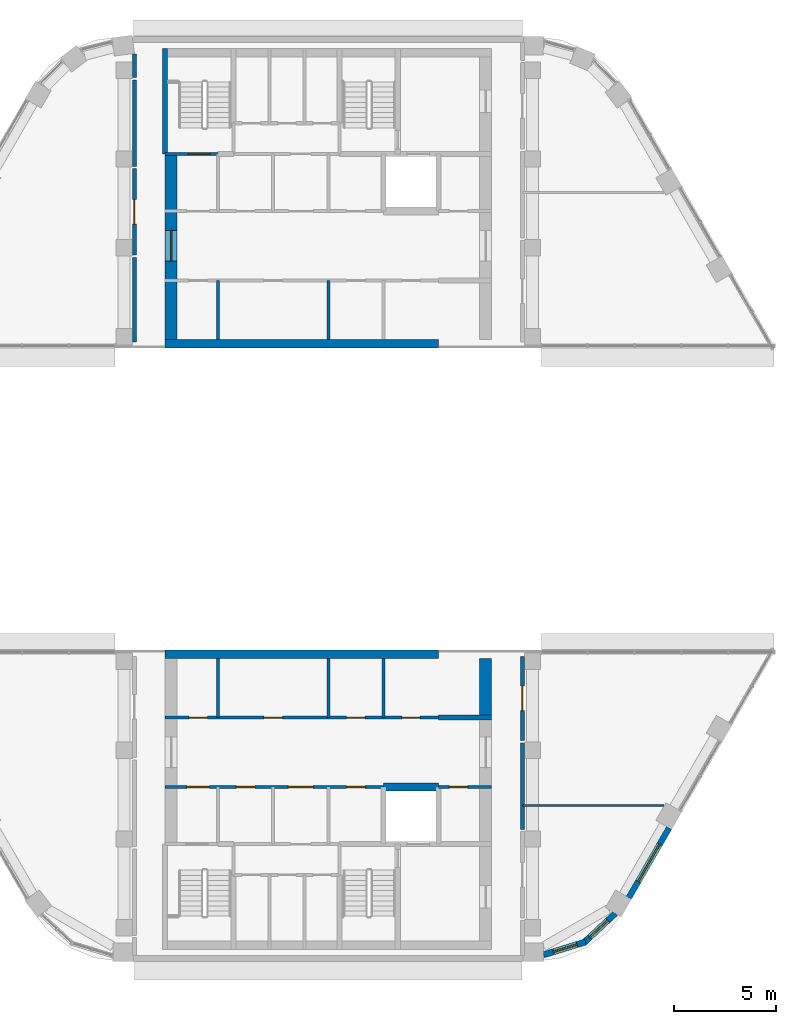
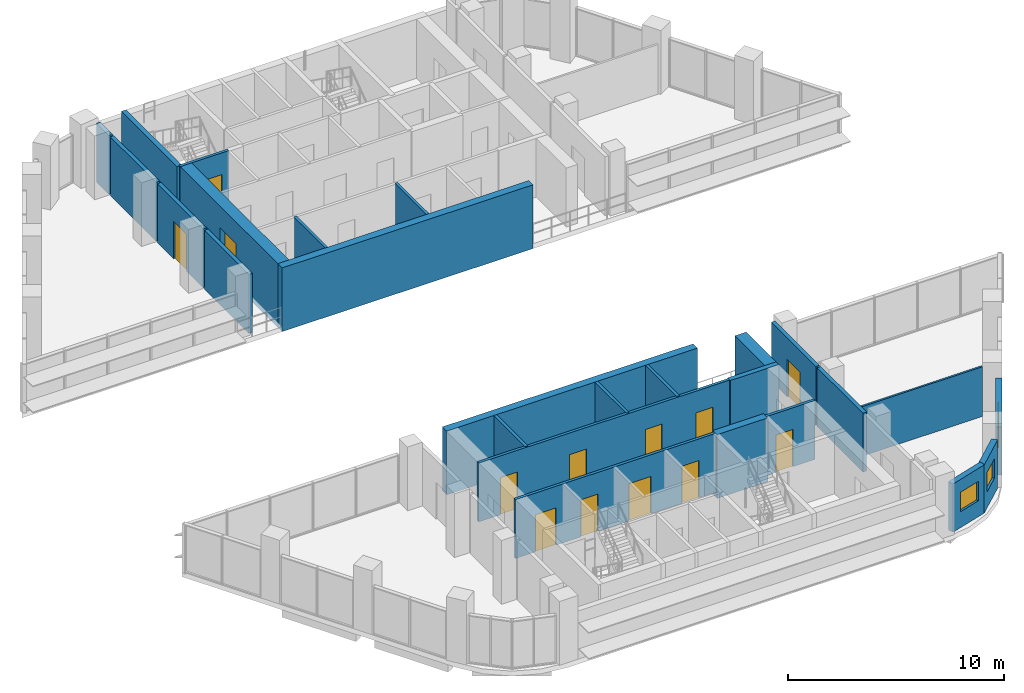
# One storey, part 9 of 14: 26 walls, 13 doors, 3 windows, 16 openings.
"""IFC4 building model written with IfcOpenShell, lengths in metres."""

from ifc_helpers import new_model, si_unit, direction, frame, frame_2d, origin, place, context, subcontext, project, spatial, rectangle, extrude, material, layer, layer_set, type_object, element, fill, save


model = new_model("IFC4")

# Units and contexts
model_context = context("Model", 3, precision=1e-05, world=origin(), true_north=direction((0.0, 1.0)))
body_context = subcontext(model_context, "Body", "Model", "MODEL_VIEW")
ifc_project = project(units=[si_unit("LENGTHUNIT", "METRE"), si_unit("AREAUNIT", "SQUARE_METRE"), si_unit("VOLUMEUNIT", "CUBIC_METRE"), si_unit("PLANEANGLEUNIT", "RADIAN"), si_unit("MASSUNIT", "GRAM", prefix="KILO")], contexts=[model_context])

# Site, building, storey
site_placement = place(None, origin())
site = spatial("IfcSite", under=ifc_project, at=site_placement, CompositionType="ELEMENT")
building_placement = place(site_placement, origin())
building = spatial("IfcBuilding", under=site, at=building_placement, Name="Nakaniwa Court", CompositionType="ELEMENT")
storey_placement = place(building_placement, frame((0.0, 0.0, 279.60009765625)))
storey = spatial("IfcBuildingStorey", under=building, at=storey_placement, Name="C03", CompositionType="ELEMENT", Elevation=279.60009765625)

# Wall
ifc_material_1 = material(Name="Acoustic double stud partition")
ifc_layer_1 = layer(ifc_material_1, 0.199951171875)
ifc_layer_set_1 = layer_set([ifc_layer_1], Name="Acoustic double stud partition")
wall_type_1 = type_object("IfcWallType", Name="Acoustic double stud partition 200", PredefinedType="PARTITIONING", material=ifc_layer_set_1)
wall_1_placement = place(storey_placement, frame((89.5, 63.826904296875, 0.0), z_axis=(0.0, 0.0, 1.0), x_axis=(0.0, 1.0, 0.0)))
element("IfcWall", 1, at=wall_1_placement, inside=storey, type_object=wall_type_1, Name="Partition PW-057", PredefinedType="PARTITIONING", context=body_context, shape_type="SweptSolid", body=[
    extrude(rectangle(XDim=4.236083984375, YDim=0.199951171875, at=frame_2d((2.1181640625, 0.0))), origin(), (0.0, 0.0, 1.0), 3.324951171875),
])

# Wall, opening, door
wall_2_placement = place(storey_placement, frame((89.5, 72.300048828125, 0.0), z_axis=(0.0, 0.0, 1.0), x_axis=(0.0, -1.0, 0.0)))
wall_2 = element("IfcWall", 2, at=wall_2_placement, inside=storey, type_object=wall_type_1, Name="Partition PW-058", PredefinedType="PARTITIONING", context=body_context, shape_type="SweptSolid", body=[
    extrude(rectangle(XDim=4.123046875, YDim=0.199951171875, at=frame_2d((2.0615234375, 0.0))), origin(), (0.0, 0.0, 1.0), 3.324951171875),
])
opening_1_placement = place(wall_2_placement, frame((1.4599609375, 0.0, 0.0)))
opening_1 = element("IfcOpeningElement", 3, at=opening_1_placement, cuts=wall_2, Name="Opening D-30-02", PredefinedType="OPENING", context=body_context, shape_type="SweptSolid", body=[
    extrude(rectangle(XDim=1.199951171875, YDim=2.10009765625, at=frame_2d((0.60009765625, 1.050048828125))), frame((0.0, 0.10986328125, 0.0), z_axis=(0.0, -1.0, 0.0), x_axis=(1.0, 0.0, 0.0)), (0.0, 0.0, 1.0), 0.219970703125),
])
ifc_material_2 = material(Name="Solid core timber door set, black veneer", Category="wood")
door_type_1 = type_object("IfcDoorType", Name="Internal door 1200", OperationType="NOTDEFINED", PredefinedType="DOOR", material=ifc_material_2)
door_1_placement = place(opening_1_placement, origin())
door_1 = element("IfcDoor", 4, at=door_1_placement, inside=storey, type_object=door_type_1, Name="Door D-30-02 C03-032", OperationType="SINGLE_SWING_LEFT", OverallHeight=2.10009765625, OverallWidth=1.199951171875, PredefinedType="DOOR", context=body_context, shape_type="SweptSolid", body=[
    extrude(rectangle(XDim=1.199951171875, YDim=2.10009765625, at=frame_2d((0.60009765625, 1.050048828125))), frame((0.0, 0.02490234375, 0.0), z_axis=(0.0, -1.0, 0.0), x_axis=(1.0, 0.0, 0.0)), (0.0, 0.0, 1.0), 0.050048828125),
])
fill(opening_1, door_1)

# Wall
wall_3_placement = place(storey_placement, frame((70.5, 87.699951171875, 0.0), z_axis=(0.0, 0.0, 1.0), x_axis=(0.0, 1.0, 0.0)))
element("IfcWall", 5, at=wall_3_placement, inside=storey, type_object=wall_type_1, Name="Partition PW-069", PredefinedType="PARTITIONING", context=body_context, shape_type="SweptSolid", body=[
    extrude(rectangle(XDim=4.123046875, YDim=0.199951171875, at=frame_2d((2.0615234375, 0.0))), origin(), (0.0, 0.0, 1.0), 3.324951171875),
])

# Wall, opening, door
wall_4_placement = place(storey_placement, frame((70.5, 91.93701171875, 0.0), z_axis=(0.0, 0.0, 1.0), x_axis=(0.0, 1.0, 0.0)))
wall_4 = element("IfcWall", 6, at=wall_4_placement, inside=storey, type_object=wall_type_1, Name="Partition PW-070", PredefinedType="PARTITIONING", context=body_context, shape_type="SweptSolid", body=[
    extrude(rectangle(XDim=4.236083984375, YDim=0.199951171875, at=frame_2d((2.1181640625, 0.0))), origin(), (0.0, 0.0, 1.0), 3.324951171875),
])
opening_2_placement = place(wall_4_placement, frame((1.51806640625, 0.0, 0.0)))
opening_2 = element("IfcOpeningElement", 7, at=opening_2_placement, cuts=wall_4, Name="Opening D-30-06", PredefinedType="OPENING", context=body_context, shape_type="SweptSolid", body=[
    extrude(rectangle(XDim=1.199951171875, YDim=2.10009765625, at=frame_2d((0.60009765625, 1.050048828125))), frame((0.0, 0.10986328125, 0.0), z_axis=(0.0, -1.0, 0.0), x_axis=(1.0, 0.0, 0.0)), (0.0, 0.0, 1.0), 0.219970703125),
])
door_2_placement = place(opening_2_placement, origin())
door_2 = element("IfcDoor", 8, at=door_2_placement, inside=storey, type_object=door_type_1, Name="Door D-30-06 C03-036", OperationType="SINGLE_SWING_LEFT", OverallHeight=2.10009765625, OverallWidth=1.199951171875, PredefinedType="DOOR", context=body_context, shape_type="SweptSolid", body=[
    extrude(rectangle(XDim=1.199951171875, YDim=2.10009765625, at=frame_2d((0.60009765625, 1.050048828125))), frame((0.0, 0.02490234375, 0.0), z_axis=(0.0, -1.0, 0.0), x_axis=(1.0, 0.0, 0.0)), (0.0, 0.0, 1.0), 0.050048828125),
])
fill(opening_2, door_2)

# Walls
wall_5_placement = place(storey_placement, frame((70.5, 96.287109375, 0.0), z_axis=(0.0, 0.0, 1.0), x_axis=(0.0, 1.0, 0.0)))
element("IfcWall", 9, at=wall_5_placement, inside=storey, type_object=wall_type_1, Name="Partition PW-071", PredefinedType="PARTITIONING", context=body_context, shape_type="SweptSolid", body=[
    extrude(rectangle(XDim=4.23583984375, YDim=0.199951171875, at=frame_2d((2.117919921875, 0.0))), origin(), (0.0, 0.0, 1.0), 3.324951171875),
])
wall_6_placement = place(storey_placement, frame((70.5, 100.636962890625, 0.0), z_axis=(0.0, 0.0, 1.0), x_axis=(0.0, 1.0, 0.0)))
element("IfcWall", 10, at=wall_6_placement, inside=storey, type_object=wall_type_1, Name="Partition PW-072", PredefinedType="PARTITIONING", context=body_context, shape_type="SweptSolid", body=[
    extrude(rectangle(XDim=1.163818359375, YDim=0.199951171875, at=frame_2d((0.58203125, 0.0))), origin(), (0.0, 0.0, 1.0), 3.324951171875),
])

# Wall, opening, window
ifc_material_3 = material(Name="Charcoal ceramic cladding")
ifc_layer_2 = layer(ifc_material_3, 0.02, Name="Ceramic cladding")
ifc_material_4 = material(Name="Ventilated air cavity")
ifc_layer_3 = layer(ifc_material_4, 0.04, ventilated=True, Name="Ventilated cavity")
ifc_material_5 = material(Name="Mineral wool insulation")
ifc_layer_4 = layer(ifc_material_5, 0.1, Name="Insulation")
ifc_material_6 = material(Name="Cement bonded sheathing board")
ifc_layer_5 = layer(ifc_material_6, 0.012, Name="Sheathing")
ifc_material_7 = material(Name="Cold-formed galvanised stud frame with mineral wool infill")
ifc_layer_6 = layer(ifc_material_7, 0.1, Name="Stud frame")
ifc_material_8 = material(Name="Fire-rated gypsum plasterboard lining")
ifc_layer_7 = layer(ifc_material_8, 0.028, Name="Lining")
ifc_layer_set_2 = layer_set([ifc_layer_2, ifc_layer_3, ifc_layer_4, ifc_layer_5, ifc_layer_6, ifc_layer_7], Name="Charcoal ceramic faced external wall system")
wall_type_2 = type_object("IfcWallType", Name="Black ceramic faced external wall 300", PredefinedType="SOLIDWALL", material=ifc_layer_set_2)
wall_7_placement = place(storey_placement, frame((94.7109375, 60.47998046875, 0.0), z_axis=(0.0, 0.0, 1.0), x_axis=(0.499986771468, 0.866033041146, 0.0)))
wall_7 = element("IfcWall", 11, at=wall_7_placement, inside=storey, type_object=wall_type_2, Name="C03 external wall 00", PredefinedType="SOLIDWALL", context=body_context, shape_type="SweptSolid", body=[
    extrude(rectangle(XDim=3.9443359375, YDim=0.300048828125, at=frame_2d((1.97216796875, 0.0))), origin(), (0.0, 0.0, 1.0), 2.724853515625),
])
opening_3_placement = place(wall_7_placement, frame((0.922119140625, 0.0, 0.89990234375)))
opening_3 = element("IfcOpeningElement", 12, at=opening_3_placement, cuts=wall_7, Name="Opening W7.01", PredefinedType="OPENING", context=body_context, shape_type="SweptSolid", body=[
    extrude(rectangle(XDim=2.10009765625, YDim=1.10009765625, at=frame_2d((1.050048828125, 0.550048828125))), frame((0.0, 0.159912109375, 0.0), z_axis=(0.0, -1.0, 0.0), x_axis=(1.0, 0.0, 0.0)), (0.0, 0.0, 1.0), 0.320068359375),
])
ifc_material_9 = material(Name="Black anodised aluminium frame with dark low-E laminated double glazing", Category="aluminium")
window_type_1 = type_object("IfcWindowType", Name="Dark glass window 2100x1100 sill 900", PartitioningType="SINGLE_PANEL", PredefinedType="WINDOW", material=ifc_material_9)
window_1_placement = place(opening_3_placement, origin())
window_1 = element("IfcWindow", 13, at=window_1_placement, inside=storey, type_object=window_type_1, Name="C03 habitable room window 00-0", OverallHeight=1.10009765625, OverallWidth=2.10009765625, PartitioningType="SINGLE_PANEL", PredefinedType="WINDOW", context=body_context, shape_type="SweptSolid", body=[
    extrude(rectangle(XDim=2.10009765625, YDim=1.10009765625, at=frame_2d((1.050048828125, 0.550048828125))), frame((0.0, 0.030029296875, 0.0), z_axis=(0.0, -1.0, 0.0), x_axis=(1.0, 0.0, 0.0)), (0.0, 0.0, 1.0), 0.06005859375),
])
fill(opening_3, window_1)

wall_8_placement = place(storey_placement, frame((90.53564453125, 57.68310546875, 0.0), z_axis=(0.0, 0.0, 1.0), x_axis=(0.956094906027, 0.293057213987, 0.0)))
wall_8 = element("IfcWall", 14, at=wall_8_placement, inside=storey, type_object=wall_type_2, Name="C03 external wall 11", PredefinedType="SOLIDWALL", context=body_context, shape_type="SweptSolid", body=[
    extrude(rectangle(XDim=2.15185546875, YDim=0.300048828125, at=frame_2d((1.075927734375, 0.0))), origin(), (0.0, 0.0, 1.0), 2.724853515625),
])
opening_4_placement = place(wall_8_placement, frame((0.514404296875, 0.0, 0.89990234375)))
opening_4 = element("IfcOpeningElement", 15, at=opening_4_placement, cuts=wall_8, Name="Opening W6.02", PredefinedType="OPENING", context=body_context, shape_type="SweptSolid", body=[
    extrude(rectangle(XDim=1.199951171875, YDim=1.10009765625, at=frame_2d((0.60009765625, 0.550048828125))), frame((0.0, 0.159912109375, 0.0), z_axis=(0.0, -1.0, 0.0), x_axis=(1.0, 0.0, 0.0)), (0.0, 0.0, 1.0), 0.320068359375),
])
window_type_2 = type_object("IfcWindowType", Name="Dark glass window 1200x1100 sill 900", PartitioningType="SINGLE_PANEL", PredefinedType="WINDOW", material=ifc_material_9)
window_2_placement = place(opening_4_placement, origin())
window_2 = element("IfcWindow", 16, at=window_2_placement, inside=storey, type_object=window_type_2, Name="C03 habitable room window 11-0", OverallHeight=1.10009765625, OverallWidth=1.199951171875, PartitioningType="SINGLE_PANEL", PredefinedType="WINDOW", context=body_context, shape_type="SweptSolid", body=[
    extrude(rectangle(XDim=1.199951171875, YDim=1.10009765625, at=frame_2d((0.60009765625, 0.550048828125))), frame((0.0, 0.030029296875, 0.0), z_axis=(0.0, -1.0, 0.0), x_axis=(1.0, 0.0, 0.0)), (0.0, 0.0, 1.0), 0.06005859375),
])
fill(opening_4, window_2)

wall_9_placement = place(storey_placement, frame((92.485107421875, 58.25048828125, 0.0), z_axis=(0.0, 0.0, 1.0), x_axis=(0.732075899412, 0.681223074697, 0.0)))
wall_9 = element("IfcWall", 17, at=wall_9_placement, inside=storey, type_object=wall_type_2, Name="C03 external wall 12", PredefinedType="SOLIDWALL", context=body_context, shape_type="SweptSolid", body=[
    extrude(rectangle(XDim=2.14599609375, YDim=0.300048828125, at=frame_2d((1.072998046875, 0.0))), origin(), (0.0, 0.0, 1.0), 2.724853515625),
])
opening_5_placement = place(wall_9_placement, frame((0.4345703125, 0.0, 0.89990234375)))
opening_5 = element("IfcOpeningElement", 18, at=opening_5_placement, cuts=wall_9, Name="Opening W6.03", PredefinedType="OPENING", context=body_context, shape_type="SweptSolid", body=[
    extrude(rectangle(XDim=1.199951171875, YDim=1.10009765625, at=frame_2d((0.60009765625, 0.550048828125))), frame((0.0, 0.159912109375, 0.0), z_axis=(0.0, -1.0, 0.0), x_axis=(1.0, 0.0, 0.0)), (0.0, 0.0, 1.0), 0.320068359375),
])
window_3_placement = place(opening_5_placement, origin())
window_3 = element("IfcWindow", 19, at=window_3_placement, inside=storey, type_object=window_type_2, Name="C03 habitable room window 12-0", OverallHeight=1.10009765625, OverallWidth=1.199951171875, PartitioningType="SINGLE_PANEL", PredefinedType="WINDOW", context=body_context, shape_type="SweptSolid", body=[
    extrude(rectangle(XDim=1.199951171875, YDim=1.10009765625, at=frame_2d((0.60009765625, 0.550048828125))), frame((0.0, 0.030029296875, 0.0), z_axis=(0.0, -1.0, 0.0), x_axis=(1.0, 0.0, 0.0)), (0.0, 0.0, 1.0), 0.06005859375),
])
fill(opening_5, window_3)

# Walls
ifc_material_10 = material(Name="Blockwork partition", Category="masonry")
ifc_layer_8 = layer(ifc_material_10, 0.14990234375)
ifc_layer_set_3 = layer_set([ifc_layer_8], Name="Blockwork partition")
wall_type_3 = type_object("IfcWallType", Name="Blockwork partition 150", PredefinedType="PARTITIONING", material=ifc_layer_set_3)
for number, where, z_axis, x_axis, name in (
    (20, (74.60009765625, 87.800048828125, 0.0), (0.0, 0.0, 1.0), (0.0, 1.0, 0.0), "Partition PW-001"),
    (21, (80.0, 87.800048828125, 0.0), (0.0, 0.0, 1.0), (0.0, 1.0, 0.0), "Partition PW-005"),
    (22, (74.60009765625, 69.300048828125, 0.0), (0.0, 0.0, 1.0), (0.0, 1.0, 0.0), "Partition PW-029"),
):
    element("IfcWall", number, at=place(storey_placement, frame(where, z_axis=z_axis, x_axis=x_axis)), inside=storey, type_object=wall_type_3, Name=name, PredefinedType="PARTITIONING", context=body_context, shape_type="SweptSolid", body=[
        extrude(rectangle(XDim=2.89990234375, YDim=0.14990234375, at=frame_2d((1.449951171875, 0.0))), origin(), (0.0, 0.0, 1.0), 3.324951171875),
    ])

# Wall, openings, doors
wall_10_placement = place(storey_placement, frame((72.0, 69.300048828125, 0.0), z_axis=(0.0, 0.0, 1.0), x_axis=(1.0, 0.0, 0.0)))
wall_10 = element("IfcWall", 23, at=wall_10_placement, inside=storey, type_object=wall_type_3, Name="Partition PW-030", PredefinedType="PARTITIONING", context=body_context, shape_type="SweptSolid", body=[
    extrude(rectangle(XDim=13.39990234375, YDim=0.14990234375, at=frame_2d((6.699951171875, 0.0))), origin(), (0.0, 0.0, 1.0), 3.324951171875),
])
opening_6_placement = place(wall_10_placement, frame((1.175048828125, 0.0, 0.0)))
opening_6 = element("IfcOpeningElement", 24, at=opening_6_placement, cuts=wall_10, Name="Opening D-05-11", PredefinedType="OPENING", context=body_context, shape_type="SweptSolid", body=[
    extrude(rectangle(XDim=0.89990234375, YDim=2.10009765625, at=frame_2d((0.449951171875, 1.050048828125))), frame((0.0, 0.0849609375, 0.0), z_axis=(0.0, -1.0, 0.0), x_axis=(1.0, 0.0, 0.0)), (0.0, 0.0, 1.0), 0.169921875),
])
opening_7_placement = place(wall_10_placement, frame((4.85009765625, 0.0, 0.0)))
opening_7 = element("IfcOpeningElement", 25, at=opening_7_placement, cuts=wall_10, Name="Opening D-05-12", PredefinedType="OPENING", context=body_context, shape_type="SweptSolid", body=[
    extrude(rectangle(XDim=0.89990234375, YDim=2.10009765625, at=frame_2d((0.449951171875, 1.050048828125))), frame((0.0, 0.0849609375, 0.0), z_axis=(0.0, -1.0, 0.0), x_axis=(1.0, 0.0, 0.0)), (0.0, 0.0, 1.0), 0.169921875),
])
opening_8_placement = place(wall_10_placement, frame((8.89990234375, 0.0, 0.0)))
opening_8 = element("IfcOpeningElement", 26, at=opening_8_placement, cuts=wall_10, Name="Opening D-05-13", PredefinedType="OPENING", context=body_context, shape_type="SweptSolid", body=[
    extrude(rectangle(XDim=0.89990234375, YDim=2.10009765625, at=frame_2d((0.449951171875, 1.050048828125))), frame((0.0, 0.0849609375, 0.0), z_axis=(0.0, -1.0, 0.0), x_axis=(1.0, 0.0, 0.0)), (0.0, 0.0, 1.0), 0.169921875),
])
opening_9_placement = place(wall_10_placement, frame((11.60009765625, 0.0, 0.0)))
opening_9 = element("IfcOpeningElement", 27, at=opening_9_placement, cuts=wall_10, Name="Opening D-05-14", PredefinedType="OPENING", context=body_context, shape_type="SweptSolid", body=[
    extrude(rectangle(XDim=0.89990234375, YDim=2.10009765625, at=frame_2d((0.449951171875, 1.050048828125))), frame((0.0, 0.0849609375, 0.0), z_axis=(0.0, -1.0, 0.0), x_axis=(1.0, 0.0, 0.0)), (0.0, 0.0, 1.0), 0.169921875),
])
ifc_material_11 = material(Name="Fire rated steel door set", Category="steel")
door_type_2 = type_object("IfcDoorType", Name="Service room door 900", OperationType="NOTDEFINED", PredefinedType="DOOR", material=ifc_material_11)
door_3_placement = place(opening_6_placement, origin())
door_3 = element("IfcDoor", 28, at=door_3_placement, inside=storey, type_object=door_type_2, Name="Door D-05-11 C03-016", OperationType="SINGLE_SWING_LEFT", OverallHeight=2.10009765625, OverallWidth=0.89990234375, PredefinedType="DOOR", context=body_context, shape_type="SweptSolid", body=[
    extrude(rectangle(XDim=0.89990234375, YDim=2.10009765625, at=frame_2d((0.449951171875, 1.050048828125))), frame((0.0, 0.02490234375, 0.0), z_axis=(0.0, -1.0, 0.0), x_axis=(1.0, 0.0, 0.0)), (0.0, 0.0, 1.0), 0.050048828125),
])
fill(opening_6, door_3)
door_4_placement = place(opening_7_placement, origin())
door_4 = element("IfcDoor", 29, at=door_4_placement, inside=storey, type_object=door_type_2, Name="Door D-05-12 C03-017", OperationType="SINGLE_SWING_RIGHT", OverallHeight=2.10009765625, OverallWidth=0.89990234375, PredefinedType="DOOR", context=body_context, shape_type="SweptSolid", body=[
    extrude(rectangle(XDim=0.89990234375, YDim=2.10009765625, at=frame_2d((0.449951171875, 1.050048828125))), frame((0.0, 0.02490234375, 0.0), z_axis=(0.0, -1.0, 0.0), x_axis=(1.0, 0.0, 0.0)), (0.0, 0.0, 1.0), 0.050048828125),
])
fill(opening_7, door_4)
door_5_placement = place(opening_8_placement, origin())
door_5 = element("IfcDoor", 30, at=door_5_placement, inside=storey, type_object=door_type_2, Name="Door D-05-13 C03-018", OperationType="SINGLE_SWING_LEFT", OverallHeight=2.10009765625, OverallWidth=0.89990234375, PredefinedType="DOOR", context=body_context, shape_type="SweptSolid", body=[
    extrude(rectangle(XDim=0.89990234375, YDim=2.10009765625, at=frame_2d((0.449951171875, 1.050048828125))), frame((0.0, 0.02490234375, 0.0), z_axis=(0.0, -1.0, 0.0), x_axis=(1.0, 0.0, 0.0)), (0.0, 0.0, 1.0), 0.050048828125),
])
fill(opening_8, door_5)
door_6_placement = place(opening_9_placement, origin())
door_6 = element("IfcDoor", 31, at=door_6_placement, inside=storey, type_object=door_type_2, Name="Door D-05-14 C03-019", OperationType="SINGLE_SWING_RIGHT", OverallHeight=2.10009765625, OverallWidth=0.89990234375, PredefinedType="DOOR", context=body_context, shape_type="SweptSolid", body=[
    extrude(rectangle(XDim=0.89990234375, YDim=2.10009765625, at=frame_2d((0.449951171875, 1.050048828125))), frame((0.0, 0.02490234375, 0.0), z_axis=(0.0, -1.0, 0.0), x_axis=(1.0, 0.0, 0.0)), (0.0, 0.0, 1.0), 0.050048828125),
])
fill(opening_9, door_6)

# Walls
for number, where, z_axis, x_axis, name in (
    (32, (80.0, 69.300048828125, 0.0), (0.0, 0.0, 1.0), (0.0, 1.0, 0.0), "Partition PW-033"),
    (33, (82.699951171875, 69.300048828125, 0.0), (0.0, 0.0, 1.0), (0.0, 1.0, 0.0), "Partition PW-034"),
):
    element("IfcWall", number, at=place(storey_placement, frame(where, z_axis=z_axis, x_axis=x_axis)), inside=storey, type_object=wall_type_3, Name=name, PredefinedType="PARTITIONING", context=body_context, shape_type="SweptSolid", body=[
        extrude(rectangle(XDim=2.89990234375, YDim=0.14990234375, at=frame_2d((1.449951171875, 0.0))), origin(), (0.0, 0.0, 1.0), 3.324951171875),
    ])

# Wall, openings, doors
wall_11_placement = place(storey_placement, frame((82.702880859375, 65.89990234375, 0.0), z_axis=(0.0, 0.0, 1.0), x_axis=(-1.0, 0.0, 0.0)))
wall_11 = element("IfcWall", 34, at=wall_11_placement, inside=storey, type_object=wall_type_3, Name="Partition PW-035", PredefinedType="PARTITIONING", context=body_context, shape_type="SweptSolid", body=[
    extrude(rectangle(XDim=10.702880859375, YDim=0.14990234375, at=frame_2d((5.3515625, 0.0))), origin(), (0.0, 0.0, 1.0), 3.324951171875),
])
opening_10_placement = place(wall_11_placement, frame((8.528076171875, 0.0, 0.0)))
opening_10 = element("IfcOpeningElement", 35, at=opening_10_placement, cuts=wall_11, Name="Opening D-08-02", PredefinedType="OPENING", context=body_context, shape_type="SweptSolid", body=[
    extrude(rectangle(XDim=1.10009765625, YDim=2.10009765625, at=frame_2d((0.550048828125, 1.050048828125))), frame((0.0, 0.0849609375, 0.0), z_axis=(0.0, -1.0, 0.0), x_axis=(1.0, 0.0, 0.0)), (0.0, 0.0, 1.0), 0.169921875),
])
opening_11_placement = place(wall_11_placement, frame((6.302978515625, 0.0, 0.0)))
opening_11 = element("IfcOpeningElement", 36, at=opening_11_placement, cuts=wall_11, Name="Opening D-05-15", PredefinedType="OPENING", context=body_context, shape_type="SweptSolid", body=[
    extrude(rectangle(XDim=0.89990234375, YDim=2.10009765625, at=frame_2d((0.449951171875, 1.050048828125))), frame((0.0, 0.0849609375, 0.0), z_axis=(0.0, -1.0, 0.0), x_axis=(1.0, 0.0, 0.0)), (0.0, 0.0, 1.0), 0.169921875),
])
opening_12_placement = place(wall_11_placement, frame((3.452880859375, 0.0, 0.0)))
opening_12 = element("IfcOpeningElement", 37, at=opening_12_placement, cuts=wall_11, Name="Opening D-06-02", PredefinedType="OPENING", context=body_context, shape_type="SweptSolid", body=[
    extrude(rectangle(XDim=1.199951171875, YDim=2.10009765625, at=frame_2d((0.60009765625, 1.050048828125))), frame((0.0, 0.0849609375, 0.0), z_axis=(0.0, -1.0, 0.0), x_axis=(1.0, 0.0, 0.0)), (0.0, 0.0, 1.0), 0.169921875),
])
opening_13_placement = place(wall_11_placement, frame((0.903076171875, 0.0, 0.0)))
opening_13 = element("IfcOpeningElement", 38, at=opening_13_placement, cuts=wall_11, Name="Opening D-05-16", PredefinedType="OPENING", context=body_context, shape_type="SweptSolid", body=[
    extrude(rectangle(XDim=0.89990234375, YDim=2.10009765625, at=frame_2d((0.449951171875, 1.050048828125))), frame((0.0, 0.0849609375, 0.0), z_axis=(0.0, -1.0, 0.0), x_axis=(1.0, 0.0, 0.0)), (0.0, 0.0, 1.0), 0.169921875),
])
ifc_material_12 = material(Name="Fire rated steel double door set", Category="steel")
door_type_3 = type_object("IfcDoorType", Name="Service passage double door 1200", OperationType="NOTDEFINED", PredefinedType="DOOR", material=ifc_material_12)
door_7_placement = place(opening_12_placement, origin())
door_7 = element("IfcDoor", 39, at=door_7_placement, inside=storey, type_object=door_type_3, Name="Door D-06-02 C03-022", OperationType="DOUBLE_DOOR_SINGLE_SWING", OverallHeight=2.10009765625, OverallWidth=1.199951171875, PredefinedType="DOOR", context=body_context, shape_type="SweptSolid", body=[
    extrude(rectangle(XDim=1.199951171875, YDim=2.10009765625, at=frame_2d((0.60009765625, 1.050048828125))), frame((0.0, 0.02490234375, 0.0), z_axis=(0.0, -1.0, 0.0), x_axis=(1.0, 0.0, 0.0)), (0.0, 0.0, 1.0), 0.050048828125),
])
fill(opening_12, door_7)
door_8_placement = place(opening_11_placement, origin())
door_8 = element("IfcDoor", 40, at=door_8_placement, inside=storey, type_object=door_type_2, Name="Door D-05-15 C03-021", OperationType="SINGLE_SWING_RIGHT", OverallHeight=2.10009765625, OverallWidth=0.89990234375, PredefinedType="DOOR", context=body_context, shape_type="SweptSolid", body=[
    extrude(rectangle(XDim=0.89990234375, YDim=2.10009765625, at=frame_2d((0.449951171875, 1.050048828125))), frame((0.0, 0.02490234375, 0.0), z_axis=(0.0, -1.0, 0.0), x_axis=(1.0, 0.0, 0.0)), (0.0, 0.0, 1.0), 0.050048828125),
])
fill(opening_11, door_8)
door_9_placement = place(opening_13_placement, origin())
door_9 = element("IfcDoor", 41, at=door_9_placement, inside=storey, type_object=door_type_2, Name="Door D-05-16 C03-023", OperationType="SINGLE_SWING_RIGHT", OverallHeight=2.10009765625, OverallWidth=0.89990234375, PredefinedType="DOOR", context=body_context, shape_type="SweptSolid", body=[
    extrude(rectangle(XDim=0.89990234375, YDim=2.10009765625, at=frame_2d((0.449951171875, 1.050048828125))), frame((0.0, 0.02490234375, 0.0), z_axis=(0.0, -1.0, 0.0), x_axis=(1.0, 0.0, 0.0)), (0.0, 0.0, 1.0), 0.050048828125),
])
fill(opening_13, door_9)
door_type_4 = type_object("IfcDoorType", Name="Stair lobby door 1100", OperationType="NOTDEFINED", PredefinedType="DOOR", material=ifc_material_11)
door_10_placement = place(opening_10_placement, origin())
door_10 = element("IfcDoor", 42, at=door_10_placement, inside=storey, type_object=door_type_4, Name="Door D-08-02 C03-020", OperationType="SINGLE_SWING_LEFT", OverallHeight=2.10009765625, OverallWidth=1.10009765625, PredefinedType="DOOR", context=body_context, shape_type="SweptSolid", body=[
    extrude(rectangle(XDim=1.10009765625, YDim=2.10009765625, at=frame_2d((0.550048828125, 1.050048828125))), frame((0.0, 0.02490234375, 0.0), z_axis=(0.0, -1.0, 0.0), x_axis=(1.0, 0.0, 0.0)), (0.0, 0.0, 1.0), 0.050048828125),
])
fill(opening_10, door_10)

# Wall, opening, door
wall_12_placement = place(storey_placement, frame((88.0, 65.89990234375, 0.0), z_axis=(0.0, 0.0, 1.0), x_axis=(-1.0, 0.0, 0.0)))
wall_12 = element("IfcWall", 43, at=wall_12_placement, inside=storey, type_object=wall_type_3, Name="Partition PW-036", PredefinedType="PARTITIONING", context=body_context, shape_type="SweptSolid", body=[
    extrude(rectangle(XDim=2.60302734375, YDim=0.14990234375, at=frame_2d((1.301513671875, 0.0))), origin(), (0.0, 0.0, 1.0), 3.324951171875),
])
opening_14_placement = place(wall_12_placement, frame((1.175048828125, 0.0, 0.0)))
opening_14 = element("IfcOpeningElement", 44, at=opening_14_placement, cuts=wall_12, Name="Opening D-05-17", PredefinedType="OPENING", context=body_context, shape_type="SweptSolid", body=[
    extrude(rectangle(XDim=0.89990234375, YDim=2.10009765625, at=frame_2d((0.449951171875, 1.050048828125))), frame((0.0, 0.0849609375, 0.0), z_axis=(0.0, -1.0, 0.0), x_axis=(1.0, 0.0, 0.0)), (0.0, 0.0, 1.0), 0.169921875),
])
door_11_placement = place(opening_14_placement, origin())
door_11 = element("IfcDoor", 45, at=door_11_placement, inside=storey, type_object=door_type_2, Name="Door D-05-17 C03-024", OperationType="SINGLE_SWING_LEFT", OverallHeight=2.10009765625, OverallWidth=0.89990234375, PredefinedType="DOOR", context=body_context, shape_type="SweptSolid", body=[
    extrude(rectangle(XDim=0.89990234375, YDim=2.10009765625, at=frame_2d((0.449951171875, 1.050048828125))), frame((0.0, 0.02490234375, 0.0), z_axis=(0.0, -1.0, 0.0), x_axis=(1.0, 0.0, 0.0)), (0.0, 0.0, 1.0), 0.050048828125),
])
fill(opening_14, door_11)

ifc_material_13 = material(Name="Concrete C80/100", Category="concrete")
ifc_layer_9 = layer(ifc_material_13, 0.60009765625)
ifc_layer_set_4 = layer_set([ifc_layer_9], Name="Concrete C80/100")
wall_type_4 = type_object("IfcWallType", Name="Concrete core side wall 600 C80", PredefinedType="SHEAR", material=ifc_layer_set_4)
wall_13_placement = place(storey_placement, frame((72.300048828125, 87.800048828125, -0.275146484375), z_axis=(0.0, 0.0, 1.0), x_axis=(0.0, 1.0, 0.0)))
wall_13 = element("IfcWall", 46, at=wall_13_placement, inside=storey, type_object=wall_type_4, Name="Core wall SW-04", PredefinedType="SHEAR", context=body_context, shape_type="SweptSolid", body=[
    extrude(rectangle(XDim=9.099853515625, YDim=0.60009765625, at=frame_2d((4.5498046875, 0.0))), origin(), (0.0, 0.0, 1.0), 3.60009765625),
])
opening_15_placement = place(wall_13_placement, frame((3.85009765625, 0.0, 0.27490234375)))
opening_15 = element("IfcOpeningElement", 47, at=opening_15_placement, cuts=wall_13, Name="Opening D-07-02", PredefinedType="OPENING", context=body_context, shape_type="SweptSolid", body=[
    extrude(rectangle(XDim=1.5, YDim=2.10009765625, at=frame_2d((0.75, 1.050048828125))), frame((0.0, 0.31005859375, 0.0), z_axis=(0.0, -1.0, 0.0), x_axis=(1.0, 0.0, 0.0)), (0.0, 0.0, 1.0), 0.6201171875),
])
ifc_material_14 = material(Name="Glazed fire rated steel double door set", Category="steel")
door_type_5 = type_object("IfcDoorType", Name="Lobby double door 1500", OperationType="NOTDEFINED", PredefinedType="DOOR", material=ifc_material_14)
door_12_placement = place(opening_15_placement, origin())
door_12 = element("IfcDoor", 48, at=door_12_placement, inside=storey, type_object=door_type_5, Name="Door D-07-02 C03-038", OperationType="DOUBLE_DOOR_SINGLE_SWING", OverallHeight=2.10009765625, OverallWidth=1.5, PredefinedType="DOOR", context=body_context, shape_type="SweptSolid", body=[
    extrude(rectangle(XDim=1.5, YDim=2.10009765625, at=frame_2d((0.75, 1.050048828125))), frame((0.0, 0.02490234375, 0.0), z_axis=(0.0, -1.0, 0.0), x_axis=(1.0, 0.0, 0.0)), (0.0, 0.0, 1.0), 0.050048828125),
])
fill(opening_15, door_12)

# Walls
wall_14_placement = place(storey_placement, frame((87.699951171875, 69.303955078125, -0.275146484375), z_axis=(0.0, 0.0, 1.0), x_axis=(0.0, 1.0, 0.0)))
element("IfcWall", 49, at=wall_14_placement, inside=storey, type_object=wall_type_4, Name="Core wall SW-78", PredefinedType="SHEAR", context=body_context, shape_type="SweptSolid", body=[
    extrude(rectangle(XDim=2.89599609375, YDim=0.60009765625, at=frame_2d((1.447998046875, 0.0))), origin(), (0.0, 0.0, 1.0), 3.60009765625),
])
ifc_layer_10 = layer(ifc_material_13, 0.39990234375)
ifc_layer_set_5 = layer_set([ifc_layer_10], Name="Concrete C80/100")
wall_type_5 = type_object("IfcWallType", Name="Concrete core spine wall 400 C80", PredefinedType="SHEAR", material=ifc_layer_set_5)
wall_15_placement = place(storey_placement, frame((82.697021484375, 65.89990234375, -0.275146484375), z_axis=(0.0, 0.0, 1.0), x_axis=(1.0, 0.0, 0.0)))
element("IfcWall", 50, at=wall_15_placement, inside=storey, type_object=wall_type_5, Name="Core wall SW-37", PredefinedType="SHEAR", context=body_context, shape_type="SweptSolid", body=[
    extrude(rectangle(XDim=2.7060546875, YDim=0.39990234375, at=frame_2d((1.35302734375, 0.0))), origin(), (0.0, 0.0, 1.0), 3.60009765625),
])

# Wall, opening, door
ifc_layer_11 = layer(ifc_material_13, 0.14990234375)
ifc_layer_set_6 = layer_set([ifc_layer_11], Name="Concrete C80/100")
wall_type_6 = type_object("IfcWallType", Name="Concrete core wall 150 C80", PredefinedType="SHEAR", material=ifc_layer_set_6)
wall_16_placement = place(storey_placement, frame((74.60009765625, 96.89990234375, -0.275146484375), z_axis=(0.0, 0.0, 1.0), x_axis=(-1.0, 0.0, 0.0)))
wall_16 = element("IfcWall", 51, at=wall_16_placement, inside=storey, type_object=wall_type_6, Name="Core wall SW-12", PredefinedType="SHEAR", context=body_context, shape_type="SweptSolid", body=[
    extrude(rectangle(XDim=2.60009765625, YDim=0.14990234375, at=frame_2d((1.300048828125, 0.0))), origin(), (0.0, 0.0, 1.0), 3.60009765625),
])
opening_16_placement = place(wall_16_placement, frame((0.3701171875, 0.0, 0.27490234375)))
opening_16 = element("IfcOpeningElement", 52, at=opening_16_placement, cuts=wall_16, Name="Opening D-09-01", PredefinedType="OPENING", context=body_context, shape_type="SweptSolid", body=[
    extrude(rectangle(XDim=1.10009765625, YDim=2.10009765625, at=frame_2d((0.550048828125, 1.050048828125))), frame((0.0, 0.0849609375, 0.0), z_axis=(0.0, -1.0, 0.0), x_axis=(1.0, 0.0, 0.0)), (0.0, 0.0, 1.0), 0.169921875),
])
door_type_6 = type_object("IfcDoorType", Name="Stair door 1100", OperationType="NOTDEFINED", PredefinedType="DOOR", material=ifc_material_11)
door_13_placement = place(opening_16_placement, origin())
door_13 = element("IfcDoor", 53, at=door_13_placement, inside=storey, type_object=door_type_6, Name="Door D-09-01 C03-014", OperationType="SINGLE_SWING_RIGHT", OverallHeight=2.10009765625, OverallWidth=1.10009765625, PredefinedType="DOOR", context=body_context, shape_type="SweptSolid", body=[
    extrude(rectangle(XDim=1.10009765625, YDim=2.10009765625, at=frame_2d((0.550048828125, 1.050048828125))), frame((0.0, 0.02490234375, 0.0), z_axis=(0.0, -1.0, 0.0), x_axis=(1.0, 0.0, 0.0)), (0.0, 0.0, 1.0), 0.050048828125),
])
fill(opening_16, door_13)

# Walls
ifc_layer_12 = layer(ifc_material_13, 0.25)
ifc_layer_set_7 = layer_set([ifc_layer_12], Name="Concrete C80/100")
wall_type_7 = type_object("IfcWallType", Name="Concrete core wall 250 C80", PredefinedType="SHEAR", material=ifc_layer_set_7)
wall_17_placement = place(storey_placement, frame((72.0, 96.89990234375, -0.275146484375), z_axis=(0.0, 0.0, 1.0), x_axis=(0.0, 1.0, 0.0)))
element("IfcWall", 54, at=wall_17_placement, inside=storey, type_object=wall_type_7, Name="Core wall SW-21", PredefinedType="SHEAR", context=body_context, shape_type="SweptSolid", body=[
    extrude(rectangle(XDim=5.150146484375, YDim=0.25, at=frame_2d((2.5751953125, 0.0))), origin(), (0.0, 0.0, 1.0), 3.60009765625),
])
ifc_layer_13 = layer(ifc_material_13, 0.39990234375)
ifc_layer_set_8 = layer_set([ifc_layer_13], Name="Concrete C80/100")
wall_type_8 = type_object("IfcWallType", Name="Concrete core well wall 400 C80", PredefinedType="SHEAR", material=ifc_layer_set_8)
for number, where, z_axis, x_axis, name in (
    (55, (72.00390625, 87.60009765625, -0.275146484375), (0.0, 0.0, 1.0), (1.0, 0.0, 0.0), "Core wall SW-73"),
    (56, (72.00390625, 72.39990234375, -0.275146484375), (0.0, 0.0, 1.0), (1.0, 0.0, 0.0), "Core wall SW-77"),
):
    element("IfcWall", number, at=place(storey_placement, frame(where, z_axis=z_axis, x_axis=x_axis)), inside=storey, type_object=wall_type_8, Name=name, PredefinedType="SHEAR", context=body_context, shape_type="SweptSolid", body=[
        extrude(rectangle(XDim=13.39599609375, YDim=0.39990234375, at=frame_2d((6.697998046875, 0.0))), origin(), (0.0, 0.0, 1.0), 3.60009765625),
    ])
ifc_layer_14 = layer(ifc_material_13, 0.25)
ifc_layer_set_9 = layer_set([ifc_layer_14], Name="Concrete C80/100")
wall_type_9 = type_object("IfcWallType", Name="Concrete shaft wall 250 C80", PredefinedType="SHEAR", material=ifc_layer_set_9)
wall_18_placement = place(storey_placement, frame((85.404052734375, 69.300048828125, -0.275146484375), z_axis=(0.0, 0.0, 1.0), x_axis=(1.0, 0.0, 0.0)))
element("IfcWall", 57, at=wall_18_placement, inside=storey, type_object=wall_type_9, Name="Core wall SW-79", PredefinedType="SHEAR", context=body_context, shape_type="SweptSolid", body=[
    extrude(rectangle(XDim=2.592041015625, YDim=0.25, at=frame_2d((1.2958984375, 0.0))), origin(), (0.0, 0.0, 1.0), 3.60009765625),
])
ifc_material_15 = material(Name="Single stud plasterboard partition")
ifc_layer_15 = layer(ifc_material_15, 0.10009765625)
ifc_layer_set_10 = layer_set([ifc_layer_15], Name="Single stud plasterboard partition")
wall_type_10 = type_object("IfcWallType", Name="Single stud plasterboard partition 100", PredefinedType="PARTITIONING", material=ifc_layer_set_10)
wall_19_placement = place(storey_placement, frame((89.5, 65.0, 0.0), z_axis=(0.0, 0.0, 1.0), x_axis=(1.0, 0.0, 0.0)))
element("IfcWall", 58, at=wall_19_placement, inside=storey, type_object=wall_type_10, Name="Partition PW-063", PredefinedType="PARTITIONING", context=body_context, shape_type="SweptSolid", body=[
    extrude(rectangle(XDim=6.931396484375, YDim=0.10009765625, at=frame_2d((3.4658203125, 0.0))), origin(), (0.0, 0.0, 1.0), 2.804931640625),
])

save(model, "model.ifc")
